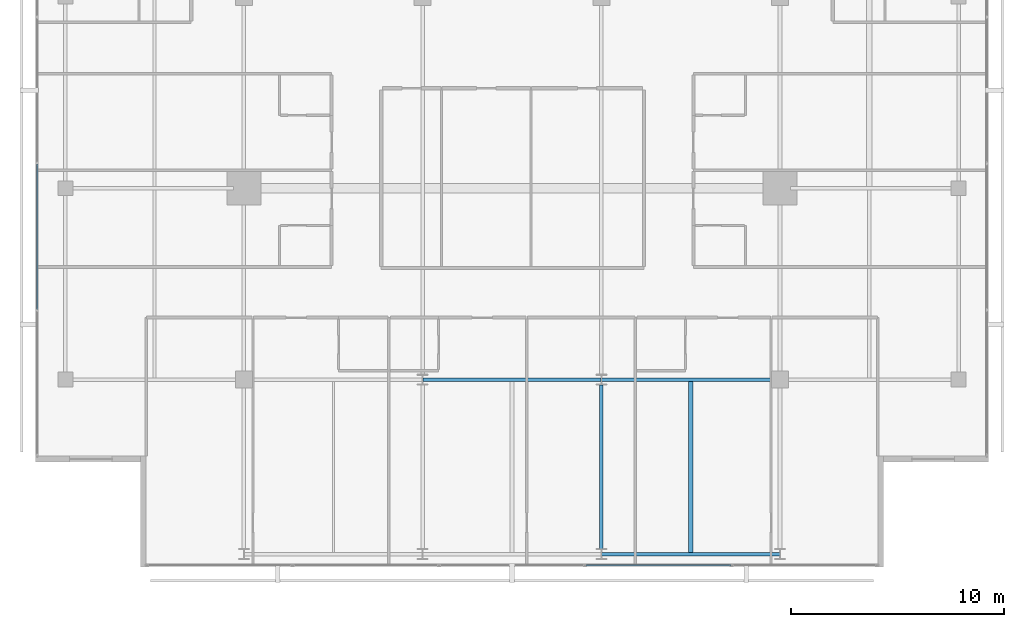
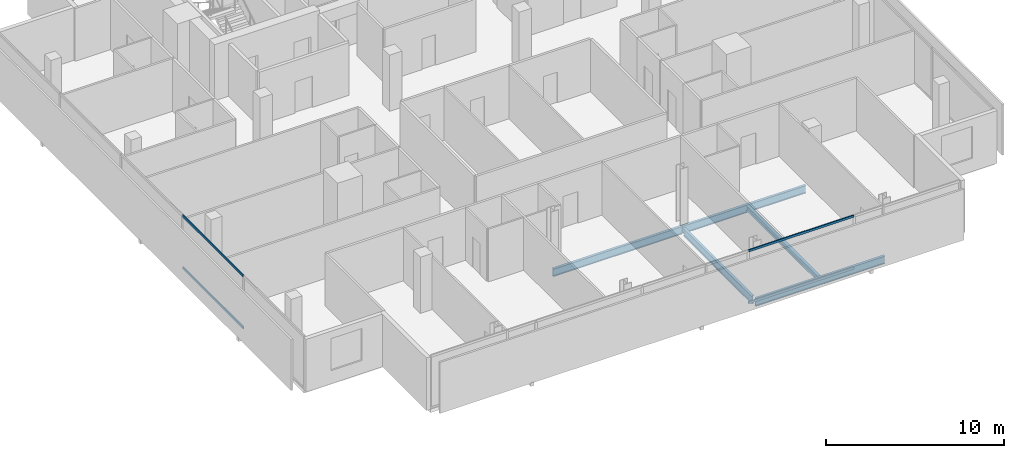
# One storey, part 7 of 25: 5 beams, 4 members, 2 elements without a shape of their own.
"""IFC4 building model written with IfcOpenShell, lengths in metres."""

from ifc_helpers import new_model, si_unit, direction, frame, origin, origin_2d, place, context, subcontext, project, spatial, hollow_rectangle, i_section, extrude, material, layer, layer_set, material_profile, profile_set, type_object, element, aggregate, save


model = new_model("IFC4")

# Units and contexts
model_context = context("Model", 3, precision=1e-05, world=origin(), true_north=direction((0.0, 1.0)))
body_context = subcontext(model_context, "Body", "Model", "MODEL_VIEW")
ifc_project = project(units=[si_unit("LENGTHUNIT", "METRE"), si_unit("AREAUNIT", "SQUARE_METRE"), si_unit("VOLUMEUNIT", "CUBIC_METRE"), si_unit("PLANEANGLEUNIT", "RADIAN"), si_unit("MASSUNIT", "GRAM", prefix="KILO")], contexts=[model_context])

# Site, building, storey
site_placement = place(None, origin())
site = spatial("IfcSite", under=ifc_project, at=site_placement, CompositionType="ELEMENT")
building_placement = place(site_placement, origin())
building = spatial("IfcBuilding", under=site, at=building_placement, Name="Maruvema Waterfront Hotel and Observation Tower", CompositionType="ELEMENT")
storey_placement = place(building_placement, frame((0.0, 0.0, 304.85009765625)))
storey = spatial("IfcBuildingStorey", under=building, at=storey_placement, Name="L75", CompositionType="ELEMENT", Elevation=304.85009765625)

# Curtain wall, members
ifc_material_1 = material(Name="Anodised bronze aluminium and solar-control low-E IGU", Category="aluminium")
ifc_layer = layer(ifc_material_1, 0.159912109375, Name="Zone 3 Champagne Inner Thermal Curtain Wall System CW-04")
ifc_layer_set = layer_set([ifc_layer], Name="Anodised bronze aluminium and solar-control low-E IGU")
curtain_wall_type = type_object("IfcCurtainWallType", Name="Zone 3 Champagne Inner Thermal Curtain Wall System CW-04", PredefinedType="USERDEFINED", material=ifc_layer_set)
curtain_wall_1_placement = place(storey_placement, origin())
curtain_wall_1 = element("IfcCurtainWall", 1, at=curtain_wall_1_placement, inside=storey, type_object=curtain_wall_type, Name="L75 Curtain Wall CW-L75-S", ObjectType="UNITISED CURTAIN WALL", PredefinedType="USERDEFINED")
ifc_material_2 = material(Name="Anodised architectural bronze aluminium", Category="aluminium")
ifc_material_profile_1 = material_profile(ifc_material_2, hollow_rectangle(XDim=0.070068359375, YDim=0.14990234375, WallThickness=0.00390625, at=origin_2d()), Name="ALU-T70x150")
ifc_profile_set_1 = profile_set([ifc_material_profile_1], Name="Anodised architectural bronze aluminium")
member_type = type_object("IfcMemberType", Name="Curtain Wall Horizontal Transom ALU-T70x150", PredefinedType="USERDEFINED", material=ifc_profile_set_1)
member_1_placement = place(storey_placement, frame((41.27001953125, 9.280029296875, 0.02978515625), z_axis=(1.0, 0.0, 0.0), x_axis=(0.0, 1.0, 0.0)))
member_1 = element("IfcMember", 2, at=member_1_placement, type_object=member_type, Name="CW-04 transom 4.1", ObjectType="TRANSOM", PredefinedType="USERDEFINED", context=body_context, shape_type="SweptSolid", body=[
    extrude(hollow_rectangle(XDim=0.070068359375, YDim=0.14990234375, WallThickness=0.00390625, at=origin_2d()), origin(), (0.0, 0.0, 1.0), 6.820068359375),
])
member_2_placement = place(storey_placement, frame((41.27001953125, 9.280029296875, 3.579833984375), z_axis=(1.0, 0.0, 0.0), x_axis=(0.0, 1.0, 0.0)))
member_2 = element("IfcMember", 3, at=member_2_placement, type_object=member_type, Name="CW-04 transom 4.2", ObjectType="TRANSOM", PredefinedType="USERDEFINED", context=body_context, shape_type="SweptSolid", body=[
    extrude(hollow_rectangle(XDim=0.070068359375, YDim=0.14990234375, WallThickness=0.00390625, at=origin_2d()), origin(), (0.0, 0.0, 1.0), 6.820068359375),
])
aggregate(curtain_wall_1, [member_1, member_2])

curtain_wall_2_placement = place(storey_placement, origin())
curtain_wall_2 = element("IfcCurtainWall", 4, at=curtain_wall_2_placement, inside=storey, type_object=curtain_wall_type, Name="L75 Curtain Wall CW-L75-W", ObjectType="UNITISED CURTAIN WALL", PredefinedType="USERDEFINED")
member_3_placement = place(storey_placement, frame((15.47998046875, 28.1298828125, 0.02978515625), z_axis=(0.0, -1.0, 0.0), x_axis=(1.0, 0.0, 0.0)))
member_3 = element("IfcMember", 5, at=member_3_placement, type_object=member_type, Name="CW-04 transom 4.1", ObjectType="TRANSOM", PredefinedType="USERDEFINED", context=body_context, shape_type="SweptSolid", body=[
    extrude(hollow_rectangle(XDim=0.070068359375, YDim=0.14990234375, WallThickness=0.00390625, at=origin_2d()), origin(), (0.0, 0.0, 1.0), 6.81982421875),
])
member_4_placement = place(storey_placement, frame((15.47998046875, 28.1298828125, 3.579833984375), z_axis=(0.0, -1.0, 0.0), x_axis=(1.0, 0.0, 0.0)))
member_4 = element("IfcMember", 6, at=member_4_placement, type_object=member_type, Name="CW-04 transom 4.2", ObjectType="TRANSOM", PredefinedType="USERDEFINED", context=body_context, shape_type="SweptSolid", body=[
    extrude(hollow_rectangle(XDim=0.070068359375, YDim=0.14990234375, WallThickness=0.00390625, at=origin_2d()), origin(), (0.0, 0.0, 1.0), 6.81982421875),
])
aggregate(curtain_wall_2, [member_3, member_4])

# Beams
ifc_material_3 = material(Name="Steel ASTM A572 Grade 50", Category="steel")
ifc_material_profile_2 = material_profile(ifc_material_3, i_section(OverallWidth=0.166015625, OverallDepth=0.529052734375, WebThickness=0.009765625, FlangeThickness=0.013671875, FilletRadius=0.014892578125, at=origin_2d()), Name="W530x74.0")
ifc_profile_set_2 = profile_set([ifc_material_profile_2], Name="Steel ASTM A572 Grade 50")
beam_type_1 = type_object("IfcBeamType", Name="Primary Floor Girder W530x74.0", PredefinedType="BEAM", material=ifc_profile_set_2)
for number, where, z_axis, x_axis, name in (
    (7, (42.010986328125, 9.800048828125, -0.504638671875), (1.0, 0.0, 0.0), (0.0, 1.0, 0.0), "L75 Floor Girder EW-03"),
    (8, (33.611083984375, 18.0, -0.504638671875), (1.0, 0.0, 0.0), (0.0, 1.0, 0.0), "L75 Floor Girder EW-06"),
):
    element("IfcBeam", number, at=place(storey_placement, frame(where, z_axis=z_axis, x_axis=x_axis)), inside=storey, type_object=beam_type_1, Name=name, PredefinedType="BEAM", context=body_context, shape_type="SweptSolid", body=[
        extrude(i_section(OverallWidth=0.166015625, OverallDepth=0.529052734375, WebThickness=0.009765625, FlangeThickness=0.013671875, FilletRadius=0.014892578125, at=origin_2d()), origin(), (0.0, 0.0, 1.0), 8.3779296875),
    ])
beam_1_placement = place(storey_placement, frame((42.010986328125, 18.0, -0.504638671875), z_axis=(1.0, 0.0, 0.0), x_axis=(0.0, 1.0, 0.0)))
element("IfcBeam", 9, at=beam_1_placement, inside=storey, type_object=beam_type_1, Name="L75 Floor Girder EW-07", PredefinedType="BEAM", context=body_context, shape_type="SweptSolid", body=[
    extrude(i_section(OverallWidth=0.166015625, OverallDepth=0.529052734375, WebThickness=0.009765625, FlangeThickness=0.013671875, FilletRadius=0.014892578125, at=origin_2d()), origin(), (0.0, 0.0, 1.0), 7.989013671875),
])
beam_2_placement = place(storey_placement, frame((42.0, 10.050048828125, -0.504638671875), z_axis=(0.0, 1.0, 0.0), x_axis=(-1.0, 0.0, 0.0)))
element("IfcBeam", 10, at=beam_2_placement, inside=storey, type_object=beam_type_1, Name="L75 Floor Girder NS-10", PredefinedType="BEAM", context=body_context, shape_type="SweptSolid", body=[
    extrude(i_section(OverallWidth=0.166015625, OverallDepth=0.529052734375, WebThickness=0.009765625, FlangeThickness=0.013671875, FilletRadius=0.014892578125, at=origin_2d()), origin(), (0.0, 0.0, 1.0), 7.699951171875),
])
ifc_material_4 = material(Name="Steel ASTM A572 Grade 50", Category="steel")
ifc_material_profile_3 = material_profile(ifc_material_4, i_section(OverallWidth=0.202880859375, OverallDepth=0.346923828125, WebThickness=0.0078125, FlangeThickness=0.013427734375, FilletRadius=0.014892578125, at=origin_2d()), Name="W360x64.0")
ifc_profile_set_3 = profile_set([ifc_material_profile_3], Name="Steel ASTM A572 Grade 50")
beam_type_2 = type_object("IfcBeamType", Name="Secondary Floor Joist W360x64.0", PredefinedType="JOIST", material=ifc_profile_set_3)
beam_3_placement = place(storey_placement, frame((46.199951171875, 9.883056640625, -0.41357421875), z_axis=(0.0, 1.0, 0.0), x_axis=(-1.0, 0.0, 0.0)))
element("IfcBeam", 11, at=beam_3_placement, inside=storey, type_object=beam_type_2, Name="L75 Secondary Floor Joist JS-06", PredefinedType="JOIST", context=body_context, shape_type="SweptSolid", body=[
    extrude(i_section(OverallWidth=0.202880859375, OverallDepth=0.346923828125, WebThickness=0.0078125, FlangeThickness=0.013427734375, FilletRadius=0.014892578125, at=origin_2d()), origin(), (0.0, 0.0, 1.0), 8.033935546875),
])

save(model, "model.ifc")
